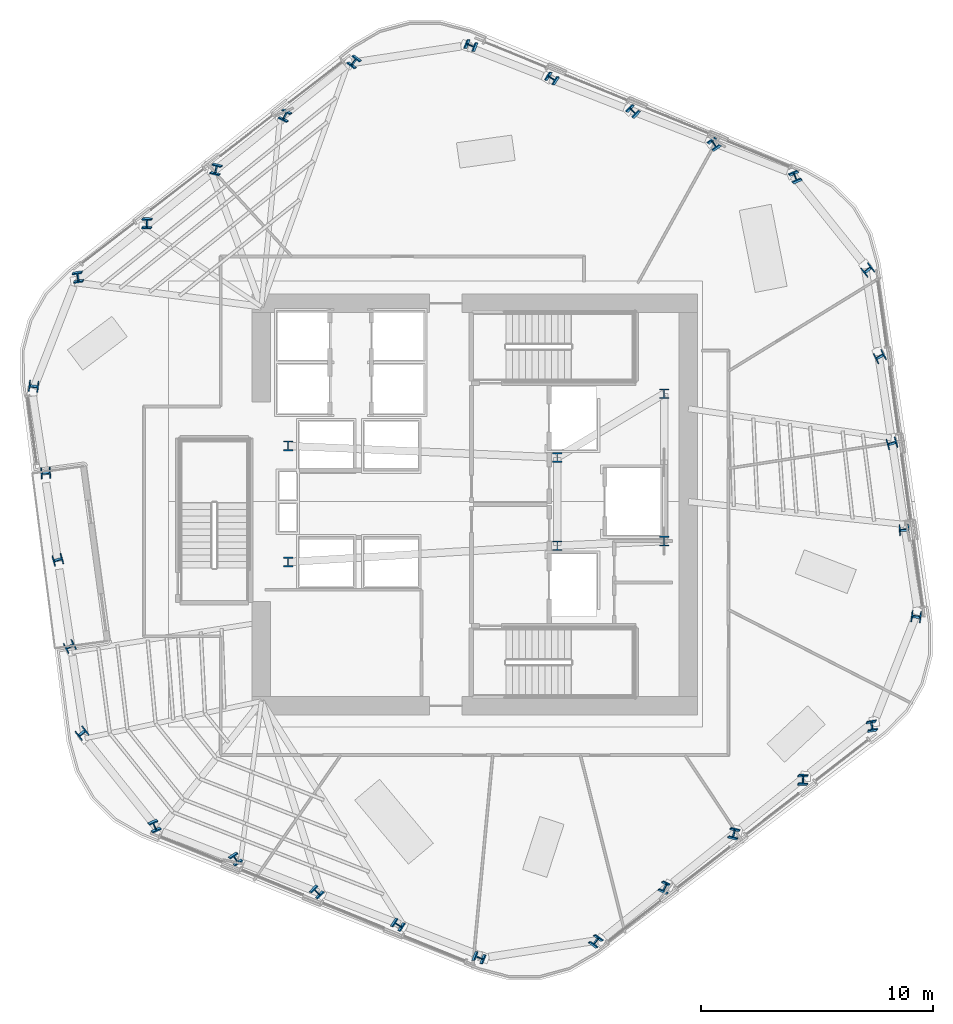
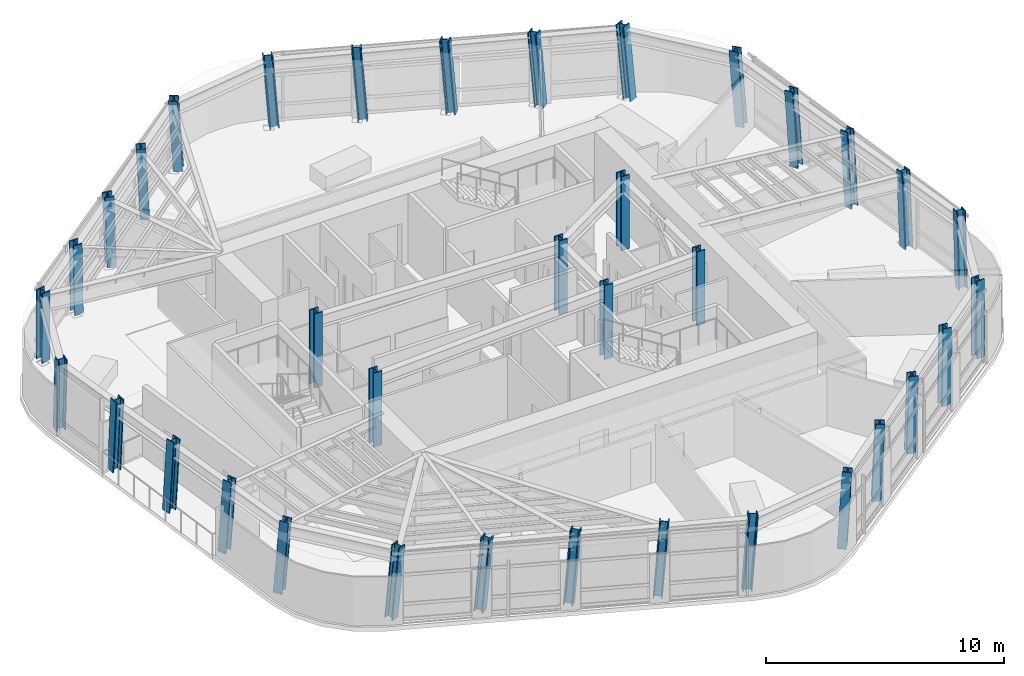
# One storey, part 1 of 15: 36 columns.
"""IFC4 building model written with IfcOpenShell, lengths in metres."""

from ifc_helpers import new_model, si_unit, direction, frame, origin, origin_2d, place, context, subcontext, project, spatial, i_section, extrude, material, material_profile, profile_set, type_object, element, save


model = new_model("IFC4")

# Units and contexts
model_context = context("Model", 3, precision=1e-05, world=origin(), true_north=direction((0.0, 1.0)))
body_context = subcontext(model_context, "Body", "Model", "MODEL_VIEW")
ifc_project = project(units=[si_unit("LENGTHUNIT", "METRE"), si_unit("AREAUNIT", "SQUARE_METRE"), si_unit("VOLUMEUNIT", "CUBIC_METRE"), si_unit("PLANEANGLEUNIT", "RADIAN"), si_unit("MASSUNIT", "GRAM", prefix="KILO")], contexts=[model_context])

# Site, building, storey
site_placement = place(None, origin())
site = spatial("IfcSite", under=ifc_project, at=site_placement, CompositionType="ELEMENT")
building_placement = place(site_placement, origin())
building = spatial("IfcBuilding", under=site, at=building_placement, Name="Valkerne Bourse Tower", CompositionType="ELEMENT")
storey_placement = place(building_placement, frame((0.0, 0.0, 185.60009765625)))
storey = spatial("IfcBuildingStorey", under=building, at=storey_placement, Name="L47", CompositionType="ELEMENT", Elevation=185.60009765625)

# Columns
ifc_material = material(Name="Steel ASTM A913 Grade 65", Category="steel")
ifc_material_profile_1 = material_profile(ifc_material, i_section(OverallWidth=0.406494140625, OverallDepth=0.41650390625, WebThickness=0.02978515625, FlangeThickness=0.048095703125, FilletRadius=0.025390625, at=origin_2d()), Name="W14X257")
ifc_profile_set_1 = profile_set([ifc_material_profile_1], Name="Steel ASTM A913 Grade 65")
column_type_1 = type_object("IfcColumnType", Name="COL-W14X257", PredefinedType="COLUMN", material=ifc_profile_set_1)
column_1_placement = place(storey_placement, frame((60.63818359375, 40.948486328125, 0.010009765625), z_axis=(-0.058177970356, 0.056890847118, 0.996683879312), x_axis=(0.916575295615, 0.398678384588, 0.030745294457)))
element("IfcColumn", 1, at=column_1_placement, inside=storey, type_object=column_type_1, Name="L47 Helical Perimeter Tube Column F1-C1", PredefinedType="COLUMN", context=body_context, shape_type="SweptSolid", body=[
    extrude(i_section(OverallWidth=0.406494140625, OverallDepth=0.41650390625, WebThickness=0.02978515625, FlangeThickness=0.048095703125, FilletRadius=0.025390625, at=origin_2d()), origin(), (0.0, 0.0, 1.0), 3.793701171875),
])
column_2_placement = place(storey_placement, frame((57.146728515625, 42.373291015625, 0.010009765625), z_axis=(-0.063993399977, 0.042426207832, 0.99704807389), x_axis=(0.825596254893, 0.563515050711, 0.029010541677)))
element("IfcColumn", 2, at=column_2_placement, inside=storey, type_object=column_type_1, Name="L47 Helical Perimeter Tube Column F1-C2", PredefinedType="COLUMN", context=body_context, shape_type="SweptSolid", body=[
    extrude(i_section(OverallWidth=0.406494140625, OverallDepth=0.41650390625, WebThickness=0.02978515625, FlangeThickness=0.048095703125, FilletRadius=0.025390625, at=origin_2d()), origin(), (0.0, 0.0, 1.0), 3.792236328125),
])
column_3_placement = place(storey_placement, frame((53.6552734375, 43.79833984375, 0.010009765625), z_axis=(-0.069796342328, 0.0278155165, 0.997173388955), x_axis=(0.692767626991, 0.720601887979, 0.028388977339)))
element("IfcColumn", 3, at=column_3_placement, inside=storey, type_object=column_type_1, Name="L47 Helical Perimeter Tube Column F1-C3", PredefinedType="COLUMN", context=body_context, shape_type="SweptSolid", body=[
    extrude(i_section(OverallWidth=0.406494140625, OverallDepth=0.41650390625, WebThickness=0.02978515625, FlangeThickness=0.048095703125, FilletRadius=0.025390625, at=origin_2d()), origin(), (0.0, 0.0, 1.0), 3.791748046875),
])
column_4_placement = place(storey_placement, frame((50.163818359375, 45.22314453125, 0.010009765625), z_axis=(-0.075581928733, 0.013326626276, 0.997050536874), x_axis=(0.531773272768, 0.846390144091, 0.028998454343)))
element("IfcColumn", 4, at=column_4_placement, inside=storey, type_object=column_type_1, Name="L47 Helical Perimeter Tube Column F1-C4", PredefinedType="COLUMN", context=body_context, shape_type="SweptSolid", body=[
    extrude(i_section(OverallWidth=0.406494140625, OverallDepth=0.41650390625, WebThickness=0.02978515625, FlangeThickness=0.048095703125, FilletRadius=0.025390625, at=origin_2d()), origin(), (0.0, 0.0, 1.0), 3.792236328125),
])
for number, where, z_axis, x_axis, name in (
    (5, (46.67236328125, 46.64794921875, 0.010009765625), (-0.081346298473, -0.001158412478, 0.996685225036), (0.363366621657, 0.93113898431, 0.030739065764), "L47 Helical Perimeter Tube Column F1-C5"),
    (6, (41.63916015625, 45.95849609375, 0.010009765625), (-0.078321549427, -0.022009835583, 0.996685156924), (-0.801863211602, 0.595423414489, -0.049863286677), "L47 Helical Perimeter Tube Column F2-C1"),
):
    element("IfcColumn", number, at=place(storey_placement, frame(where, z_axis=z_axis, x_axis=x_axis)), inside=storey, type_object=column_type_1, Name=name, PredefinedType="COLUMN", context=body_context, shape_type="SweptSolid", body=[
        extrude(i_section(OverallWidth=0.406494140625, OverallDepth=0.41650390625, WebThickness=0.02978515625, FlangeThickness=0.048095703125, FilletRadius=0.025390625, at=origin_2d()), origin(), (0.0, 0.0, 1.0), 3.793701171875),
    ])
column_5_placement = place(storey_placement, frame((38.65966796875, 43.647216796875, 0.010009765625), z_axis=(-0.06869323093, -0.034250045787, 0.997049735163), x_axis=(-0.899463144683, 0.434456853179, -0.047045659552)))
element("IfcColumn", 7, at=column_5_placement, inside=storey, type_object=column_type_1, Name="L47 Helical Perimeter Tube Column F2-C2", PredefinedType="COLUMN", context=body_context, shape_type="SweptSolid", body=[
    extrude(i_section(OverallWidth=0.406494140625, OverallDepth=0.41650390625, WebThickness=0.02978515625, FlangeThickness=0.048095703125, FilletRadius=0.025390625, at=origin_2d()), origin(), (0.0, 0.0, 1.0), 3.792236328125),
])
column_6_placement = place(storey_placement, frame((35.679931640625, 41.3359375, 0.010009765625), z_axis=(-0.0590433476, -0.046552170463, 0.997169383069), x_axis=(-0.969159571374, 0.242086893459, -0.046083199004)))
element("IfcColumn", 8, at=column_6_placement, inside=storey, type_object=column_type_1, Name="L47 Helical Perimeter Tube Column F2-C3", PredefinedType="COLUMN", context=body_context, shape_type="SweptSolid", body=[
    extrude(i_section(OverallWidth=0.406494140625, OverallDepth=0.41650390625, WebThickness=0.02978515625, FlangeThickness=0.048095703125, FilletRadius=0.025390625, at=origin_2d()), origin(), (0.0, 0.0, 1.0), 3.791748046875),
])
column_7_placement = place(storey_placement, frame((32.7001953125, 39.024658203125, 0.010009765625), z_axis=(-0.049315036964, -0.058778888705, 0.997052189894), x_axis=(-0.998104072829, 0.039708998289, -0.047026112504)))
element("IfcColumn", 9, at=column_7_placement, inside=storey, type_object=column_type_1, Name="L47 Helical Perimeter Tube Column F2-C4", PredefinedType="COLUMN", context=body_context, shape_type="SweptSolid", body=[
    extrude(i_section(OverallWidth=0.406494140625, OverallDepth=0.41650390625, WebThickness=0.02978515625, FlangeThickness=0.048095703125, FilletRadius=0.025390625, at=origin_2d()), origin(), (0.0, 0.0, 1.0), 3.792236328125),
])
for number, where, z_axis, x_axis, name in (
    (10, (29.720458984375, 36.71337890625, 0.010009765625), (-0.039643428567, -0.071049261588, 0.996684704909), (-0.98766231794, -0.148446825109, -0.049866680621), "L47 Helical Perimeter Tube Column F2-C5"),
    (11, (27.801025390625, 32.010009765625, 0.010009765625), (-0.020143481928, -0.078836311059, 0.996684040303), (-0.112962092005, -0.990323477902, -0.080616219747), "L47 Helical Perimeter Tube Column F3-C1"),
):
    element("IfcColumn", number, at=place(storey_placement, frame(where, z_axis=z_axis, x_axis=x_axis)), inside=storey, type_object=column_type_1, Name=name, PredefinedType="COLUMN", context=body_context, shape_type="SweptSolid", body=[
        extrude(i_section(OverallWidth=0.406494140625, OverallDepth=0.41650390625, WebThickness=0.02978515625, FlangeThickness=0.048095703125, FilletRadius=0.025390625, at=origin_2d()), origin(), (0.0, 0.0, 1.0), 3.793701171875),
    ])
column_8_placement = place(storey_placement, frame((28.312744140625, 28.273681640625, 0.010009765625), z_axis=(-0.004635369596, -0.076547978463, 0.997055124024), x_axis=(0.075758653464, -0.99422727216, -0.075978666207)))
element("IfcColumn", 12, at=column_8_placement, inside=storey, type_object=column_type_1, Name="L47 Helical Perimeter Tube Column F3-C2", PredefinedType="COLUMN", context=body_context, shape_type="SweptSolid", body=[
    extrude(i_section(OverallWidth=0.406494140625, OverallDepth=0.41650390625, WebThickness=0.02978515625, FlangeThickness=0.048095703125, FilletRadius=0.025390625, at=origin_2d()), origin(), (0.0, 0.0, 1.0), 3.792236328125),
])
column_9_placement = place(storey_placement, frame((28.82470703125, 24.53759765625, 0.010009765625), z_axis=(0.01075275232, -0.074367837902, 0.997172905269), x_axis=(0.275694657978, -0.958358103356, -0.074445962243)))
element("IfcColumn", 13, at=column_9_placement, inside=storey, type_object=column_type_1, Name="L47 Helical Perimeter Tube Column F3-C3", PredefinedType="COLUMN", context=body_context, shape_type="SweptSolid", body=[
    extrude(i_section(OverallWidth=0.406494140625, OverallDepth=0.41650390625, WebThickness=0.02978515625, FlangeThickness=0.048095703125, FilletRadius=0.025390625, at=origin_2d()), origin(), (0.0, 0.0, 1.0), 3.791748046875),
])
column_10_placement = place(storey_placement, frame((29.33642578125, 20.801513671875, 0.010009765625), z_axis=(0.026202652121, -0.072105578318, 0.997052760187), x_axis=(0.464938214351, -0.882074300835, -0.076009108941)))
element("IfcColumn", 14, at=column_10_placement, inside=storey, type_object=column_type_1, Name="L47 Helical Perimeter Tube Column F3-C4", PredefinedType="COLUMN", context=body_context, shape_type="SweptSolid", body=[
    extrude(i_section(OverallWidth=0.406494140625, OverallDepth=0.41650390625, WebThickness=0.02978515625, FlangeThickness=0.048095703125, FilletRadius=0.025390625, at=origin_2d()), origin(), (0.0, 0.0, 1.0), 3.792236328125),
])
for number, where, z_axis, x_axis, name in (
    (15, (29.84814453125, 17.0654296875, 0.010009765625), (0.041702738675, -0.069890700928, 0.996682583128), (0.622521383389, -0.77843773107, -0.08063390149), "L47 Helical Perimeter Tube Column F3-C5"),
    (16, (32.9619140625, 13.051513671875, 0.010009765625), (0.058177970356, -0.056890847118, 0.996683879312), (0.916575295615, 0.398678384588, -0.030745294457), "L47 Helical Perimeter Tube Column F4-C1"),
):
    element("IfcColumn", number, at=place(storey_placement, frame(where, z_axis=z_axis, x_axis=x_axis)), inside=storey, type_object=column_type_1, Name=name, PredefinedType="COLUMN", context=body_context, shape_type="SweptSolid", body=[
        extrude(i_section(OverallWidth=0.406494140625, OverallDepth=0.41650390625, WebThickness=0.02978515625, FlangeThickness=0.048095703125, FilletRadius=0.025390625, at=origin_2d()), origin(), (0.0, 0.0, 1.0), 3.793701171875),
    ])
column_11_placement = place(storey_placement, frame((36.453369140625, 11.626708984375, 0.010009765625), z_axis=(0.063993399977, -0.042426207832, 0.99704807389), x_axis=(0.825596254893, 0.563515050711, -0.029010541677)))
element("IfcColumn", 17, at=column_11_placement, inside=storey, type_object=column_type_1, Name="L47 Helical Perimeter Tube Column F4-C2", PredefinedType="COLUMN", context=body_context, shape_type="SweptSolid", body=[
    extrude(i_section(OverallWidth=0.406494140625, OverallDepth=0.41650390625, WebThickness=0.02978515625, FlangeThickness=0.048095703125, FilletRadius=0.025390625, at=origin_2d()), origin(), (0.0, 0.0, 1.0), 3.792236328125),
])
column_12_placement = place(storey_placement, frame((39.944580078125, 10.20166015625, 0.010009765625), z_axis=(0.069860415998, -0.027815391439, 0.99716890559), x_axis=(0.692537585544, 0.72082208767, -0.028411450794)))
element("IfcColumn", 18, at=column_12_placement, inside=storey, type_object=column_type_1, Name="L47 Helical Perimeter Tube Column F4-C3", PredefinedType="COLUMN", context=body_context, shape_type="SweptSolid", body=[
    extrude(i_section(OverallWidth=0.406494140625, OverallDepth=0.41650390625, WebThickness=0.02978515625, FlangeThickness=0.048095703125, FilletRadius=0.025390625, at=origin_2d()), origin(), (0.0, 0.0, 1.0), 3.791748046875),
])
column_13_placement = place(storey_placement, frame((43.436279296875, 8.77685546875, 0.010009765625), z_axis=(0.075581928733, -0.013326626276, 0.997050536874), x_axis=(0.531773272768, 0.846390144091, -0.028998454343)))
element("IfcColumn", 19, at=column_13_placement, inside=storey, type_object=column_type_1, Name="L47 Helical Perimeter Tube Column F4-C4", PredefinedType="COLUMN", context=body_context, shape_type="SweptSolid", body=[
    extrude(i_section(OverallWidth=0.406494140625, OverallDepth=0.41650390625, WebThickness=0.02978515625, FlangeThickness=0.048095703125, FilletRadius=0.025390625, at=origin_2d()), origin(), (0.0, 0.0, 1.0), 3.792236328125),
])
for number, where, z_axis, x_axis, name in (
    (20, (46.927734375, 7.35205078125, 0.010009765625), (0.081346298473, 0.001158412478, 0.996685225036), (0.363366621657, 0.93113898431, -0.030739065764), "L47 Helical Perimeter Tube Column F4-C5"),
    (21, (51.960693359375, 8.04150390625, 0.010009765625), (0.078321549427, 0.022009835583, 0.996685156924), (-0.801863211602, 0.595423414489, 0.049863286677), "L47 Helical Perimeter Tube Column F5-C1"),
):
    element("IfcColumn", number, at=place(storey_placement, frame(where, z_axis=z_axis, x_axis=x_axis)), inside=storey, type_object=column_type_1, Name=name, PredefinedType="COLUMN", context=body_context, shape_type="SweptSolid", body=[
        extrude(i_section(OverallWidth=0.406494140625, OverallDepth=0.41650390625, WebThickness=0.02978515625, FlangeThickness=0.048095703125, FilletRadius=0.025390625, at=origin_2d()), origin(), (0.0, 0.0, 1.0), 3.793701171875),
    ])
column_14_placement = place(storey_placement, frame((54.9404296875, 10.352783203125, 0.010009765625), z_axis=(0.06869323093, 0.034250045787, 0.997049735163), x_axis=(-0.899463144683, 0.434456853179, 0.047045659552)))
element("IfcColumn", 22, at=column_14_placement, inside=storey, type_object=column_type_1, Name="L47 Helical Perimeter Tube Column F5-C2", PredefinedType="COLUMN", context=body_context, shape_type="SweptSolid", body=[
    extrude(i_section(OverallWidth=0.406494140625, OverallDepth=0.41650390625, WebThickness=0.02978515625, FlangeThickness=0.048095703125, FilletRadius=0.025390625, at=origin_2d()), origin(), (0.0, 0.0, 1.0), 3.792236328125),
])
column_15_placement = place(storey_placement, frame((57.920166015625, 12.6640625, 0.010009765625), z_axis=(0.058979184185, 0.046552347343, 0.997173171916), x_axis=(-0.969289700338, 0.241571219594, 0.046052390634)))
element("IfcColumn", 23, at=column_15_placement, inside=storey, type_object=column_type_1, Name="L47 Helical Perimeter Tube Column F5-C3", PredefinedType="COLUMN", context=body_context, shape_type="SweptSolid", body=[
    extrude(i_section(OverallWidth=0.406494140625, OverallDepth=0.41650390625, WebThickness=0.02978515625, FlangeThickness=0.048095703125, FilletRadius=0.025390625, at=origin_2d()), origin(), (0.0, 0.0, 1.0), 3.791748046875),
])
column_16_placement = place(storey_placement, frame((60.89990234375, 14.975341796875, 0.010009765625), z_axis=(0.049315036964, 0.058778888705, 0.997052189894), x_axis=(-0.998104072829, 0.039708998289, 0.047026112504)))
element("IfcColumn", 24, at=column_16_placement, inside=storey, type_object=column_type_1, Name="L47 Helical Perimeter Tube Column F5-C4", PredefinedType="COLUMN", context=body_context, shape_type="SweptSolid", body=[
    extrude(i_section(OverallWidth=0.406494140625, OverallDepth=0.41650390625, WebThickness=0.02978515625, FlangeThickness=0.048095703125, FilletRadius=0.025390625, at=origin_2d()), origin(), (0.0, 0.0, 1.0), 3.792236328125),
])
for number, where, z_axis, x_axis, name in (
    (25, (63.87939453125, 17.28662109375, 0.010009765625), (0.039643428567, 0.071049261588, 0.996684704909), (-0.98766231794, -0.148446825109, 0.049866680621), "L47 Helical Perimeter Tube Column F5-C5"),
    (26, (65.798828125, 21.989990234375, 0.010009765625), (0.020143481928, 0.078836311059, 0.996684040303), (-0.112962092005, -0.990323477902, 0.080616219747), "L47 Helical Perimeter Tube Column F6-C1"),
):
    element("IfcColumn", number, at=place(storey_placement, frame(where, z_axis=z_axis, x_axis=x_axis)), inside=storey, type_object=column_type_1, Name=name, PredefinedType="COLUMN", context=body_context, shape_type="SweptSolid", body=[
        extrude(i_section(OverallWidth=0.406494140625, OverallDepth=0.41650390625, WebThickness=0.02978515625, FlangeThickness=0.048095703125, FilletRadius=0.025390625, at=origin_2d()), origin(), (0.0, 0.0, 1.0), 3.793701171875),
    ])
column_17_placement = place(storey_placement, frame((65.287109375, 25.726318359375, 0.010009765625), z_axis=(0.004699748317, 0.076547955461, 0.997054824411), x_axis=(0.074925554873, -0.994290107087, 0.075982525461)))
element("IfcColumn", 27, at=column_17_placement, inside=storey, type_object=column_type_1, Name="L47 Helical Perimeter Tube Column F6-C2", PredefinedType="COLUMN", context=body_context, shape_type="SweptSolid", body=[
    extrude(i_section(OverallWidth=0.406494140625, OverallDepth=0.41650390625, WebThickness=0.02978515625, FlangeThickness=0.048095703125, FilletRadius=0.025390625, at=origin_2d()), origin(), (0.0, 0.0, 1.0), 3.792236328125),
])
column_18_placement = place(storey_placement, frame((64.775390625, 29.46240234375, 0.010009765625), z_axis=(-0.01075275232, 0.074367837902, 0.997172905269), x_axis=(0.275694657978, -0.958358103356, 0.074445962243)))
element("IfcColumn", 28, at=column_18_placement, inside=storey, type_object=column_type_1, Name="L47 Helical Perimeter Tube Column F6-C3", PredefinedType="COLUMN", context=body_context, shape_type="SweptSolid", body=[
    extrude(i_section(OverallWidth=0.406494140625, OverallDepth=0.41650390625, WebThickness=0.02978515625, FlangeThickness=0.048095703125, FilletRadius=0.025390625, at=origin_2d()), origin(), (0.0, 0.0, 1.0), 3.791748046875),
])
column_19_placement = place(storey_placement, frame((64.263671875, 33.198486328125, 0.010009765625), z_axis=(-0.026266987737, 0.072105456532, 0.997051076171), x_axis=(0.465632995766, -0.881705864991, 0.076030789118)))
element("IfcColumn", 29, at=column_19_placement, inside=storey, type_object=column_type_1, Name="L47 Helical Perimeter Tube Column F6-C4", PredefinedType="COLUMN", context=body_context, shape_type="SweptSolid", body=[
    extrude(i_section(OverallWidth=0.406494140625, OverallDepth=0.41650390625, WebThickness=0.02978515625, FlangeThickness=0.048095703125, FilletRadius=0.025390625, at=origin_2d()), origin(), (0.0, 0.0, 1.0), 3.792236328125),
])
column_20_placement = place(storey_placement, frame((63.751708984375, 36.9345703125, 0.010009765625), z_axis=(-0.041638494262, 0.069890888359, 0.996685255996), x_axis=(0.621993785102, -0.778862719033, 0.080601465218)))
element("IfcColumn", 30, at=column_20_placement, inside=storey, type_object=column_type_1, Name="L47 Helical Perimeter Tube Column F6-C5", PredefinedType="COLUMN", context=body_context, shape_type="SweptSolid", body=[
    extrude(i_section(OverallWidth=0.406494140625, OverallDepth=0.41650390625, WebThickness=0.02978515625, FlangeThickness=0.048095703125, FilletRadius=0.025390625, at=origin_2d()), origin(), (0.0, 0.0, 1.0), 3.793701171875),
])
ifc_material_profile_2 = material_profile(ifc_material, i_section(OverallWidth=0.408935546875, OverallDepth=0.42431640625, WebThickness=0.03271484375, FlangeThickness=0.052490234375, FilletRadius=0.025390625, at=origin_2d()), Name="W14X283")
ifc_profile_set_2 = profile_set([ifc_material_profile_2], Name="Steel ASTM A913 Grade 65")
column_type_2 = type_object("IfcColumnType", Name="COL-W14X283", PredefinedType="COLUMN", material=ifc_profile_set_2)
for number, where, z_axis, x_axis, name in (
    (31, (38.75, 24.39990234375, 0.0048828125), (0.0, 0.0, 1.0), (1.0, 0.0, 0.0), "L47 Core Frame Column CC-SW"),
    (32, (38.75, 29.39990234375, 0.0048828125), (0.0, 0.0, 1.0), (1.0, 0.0, 0.0), "L47 Core Frame Column CC-NW"),
    (33, (50.35009765625, 25.10009765625, 0.0048828125), (0.0, 0.0, 1.0), (1.0, 0.0, 0.0), "L47 Core Frame Column CC-CE1"),
    (34, (50.35009765625, 28.89990234375, 0.0048828125), (0.0, 0.0, 1.0), (1.0, 0.0, 0.0), "L47 Core Frame Column CC-CE2"),
    (35, (54.949951171875, 25.300048828125, 0.0048828125), (0.0, 0.0, 1.0), (1.0, 0.0, 0.0), "L47 Core Frame Column CC-SE"),
    (36, (54.949951171875, 31.64990234375, 0.0048828125), (0.0, 0.0, 1.0), (1.0, 0.0, 0.0), "L47 Core Frame Column CC-NE"),
):
    element("IfcColumn", number, at=place(storey_placement, frame(where, z_axis=z_axis, x_axis=x_axis)), inside=storey, type_object=column_type_2, Name=name, PredefinedType="COLUMN", context=body_context, shape_type="SweptSolid", body=[
        extrude(i_section(OverallWidth=0.408935546875, OverallDepth=0.42431640625, WebThickness=0.03271484375, FlangeThickness=0.052490234375, FilletRadius=0.025390625, at=origin_2d()), origin(), (0.0, 0.0, 1.0), 3.794921875),
    ])

save(model, "model.ifc")
